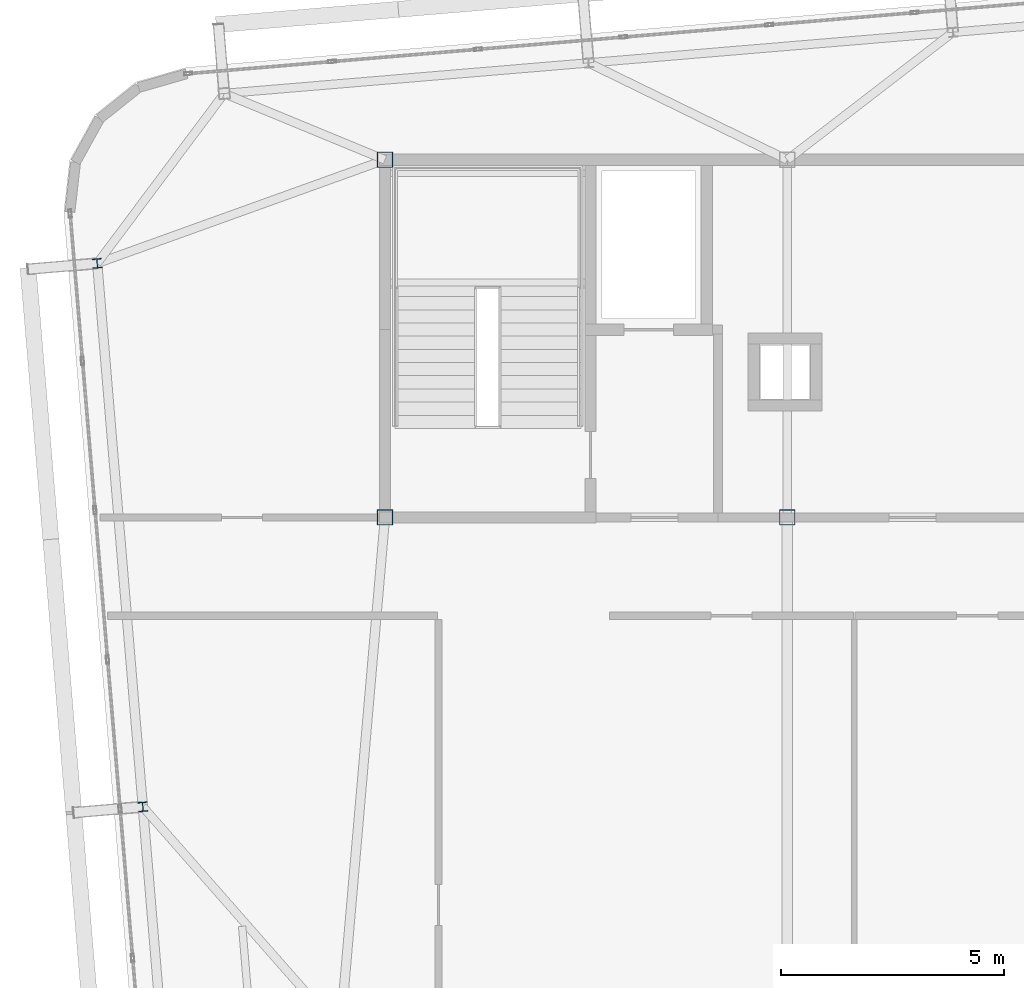
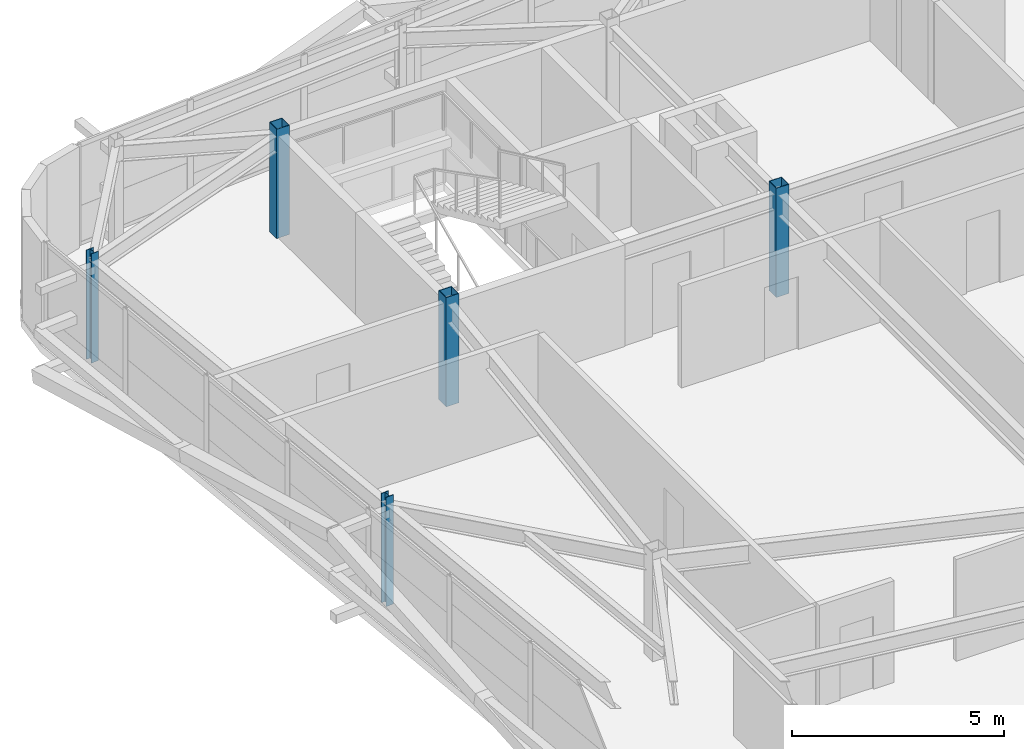
# One storey, part 2 of 46: 5 columns.
"""IFC4 building model written with IfcOpenShell, lengths in metres."""

from ifc_helpers import new_model, si_unit, direction, frame, origin, origin_2d, place, context, subcontext, project, spatial, hollow_rectangle, i_section, extrude, source, transform, mapped, material, material_profile, profile_set, type_object, element, save


model = new_model("IFC4")

# Units and contexts
model_context = context("Model", 3, precision=1e-05, world=origin(), true_north=direction((0.0, 1.0)))
body_context = subcontext(model_context, "Body", "Model", "MODEL_VIEW")
ifc_project = project(units=[si_unit("LENGTHUNIT", "METRE"), si_unit("AREAUNIT", "SQUARE_METRE"), si_unit("VOLUMEUNIT", "CUBIC_METRE"), si_unit("PLANEANGLEUNIT", "RADIAN"), si_unit("MASSUNIT", "GRAM", prefix="KILO")], contexts=[model_context])

# Site, building, storey
site_placement = place(None, origin())
site = spatial("IfcSite", under=ifc_project, at=site_placement, CompositionType="ELEMENT")
building_placement = place(site_placement, origin())
building = spatial("IfcBuilding", under=site, at=building_placement, Name="Taldren Reach Tower", CompositionType="ELEMENT")
storey_placement = place(building_placement, frame((0.0, 0.0, 185.14990234375)))
storey = spatial("IfcBuildingStorey", under=building, at=storey_placement, Name="L56", CompositionType="ELEMENT", Elevation=185.14990234375)

# Columns
ifc_material_1 = material(Name="Steel Gr 450 (C450L0)", Category="steel")
ifc_material_profile_1 = material_profile(ifc_material_1, hollow_rectangle(XDim=0.35009765625, YDim=0.35009765625, WallThickness=0.01611328125, at=origin_2d()), Name="350x350x16.0SHS")
ifc_profile_set_1 = profile_set([ifc_material_profile_1], Name="Steel Gr 450 (C450L0)")
column_type_1 = type_object("IfcColumnType", Name="COL-SHS350", PredefinedType="COLUMN", material=ifc_profile_set_1)
shared_shape_1 = source(origin(), body_context, "Body", "SweptSolid", [
    extrude(hollow_rectangle(XDim=0.35009765625, YDim=0.35009765625, WallThickness=0.01611328125, at=origin_2d()), origin(), (0.0, 0.0, 1.0), 3.150146484375),
])
for number, where, z_axis, x_axis, name in (
    (1, (19.0, 24.0, 0.0), (0.0, 0.0, 1.0), (1.0, 0.0, 0.0), "Mega column MC-C1 L56"),
    (2, (28.0, 24.0, 0.0), (0.0, 0.0, 1.0), (1.0, 0.0, 0.0), "Mega column MC-C2 L56"),
    (3, (19.0, 32.0, 0.0), (0.0, 0.0, 1.0), (1.0, 0.0, 0.0), "Mega column MC-C5 L56"),
):
    element("IfcColumn", number, at=place(storey_placement, frame(where, z_axis=z_axis, x_axis=x_axis)), inside=storey, type_object=column_type_1, Name=name, PredefinedType="COLUMN", context=body_context, shape_type="MappedRepresentation", body=[
        mapped(shared_shape_1, transform((0.0, 0.0, 0.0), scale=1.0)),
    ])
ifc_material_2 = material(Name="Steel Gr 350 (350PLUS)", Category="steel")
ifc_material_profile_2 = material_profile(ifc_material_2, i_section(OverallWidth=0.205078125, OverallDepth=0.2099609375, WebThickness=0.00927734375, FlangeThickness=0.01416015625, at=origin_2d()), Name="200UC59.5")
ifc_profile_set_2 = profile_set([ifc_material_profile_2], Name="Steel Gr 350 (350PLUS)")
column_type_2 = type_object("IfcColumnType", Name="COL-UC200", PredefinedType="COLUMN", material=ifc_profile_set_2)
shared_shape_2 = source(origin(), body_context, "Body", "SweptSolid", [
    extrude(i_section(OverallWidth=0.205078125, OverallDepth=0.2099609375, WebThickness=0.00927734375, FlangeThickness=0.01416015625, at=origin_2d()), origin(), (0.0, 0.0, 1.0), 3.150146484375),
])
for number, where, z_axis, x_axis, name in (
    (4, (13.582763671875, 17.525146484375, 0.0), (0.0, 0.0, 1.0), (0.99649285925, 0.083677843332, 0.0), "Block B4 perimeter column W2 L56"),
    (5, (12.56201171875, 29.682373046875, 0.0), (0.0, 0.0, 1.0), (0.99649285925, 0.083677843332, 0.0), "Block B4 perimeter column W3 L56"),
):
    element("IfcColumn", number, at=place(storey_placement, frame(where, z_axis=z_axis, x_axis=x_axis)), inside=storey, type_object=column_type_2, Name=name, PredefinedType="COLUMN", context=body_context, shape_type="MappedRepresentation", body=[
        mapped(shared_shape_2, transform((0.0, 0.0, 0.0), scale=1.0)),
    ])

save(model, "model.ifc")
